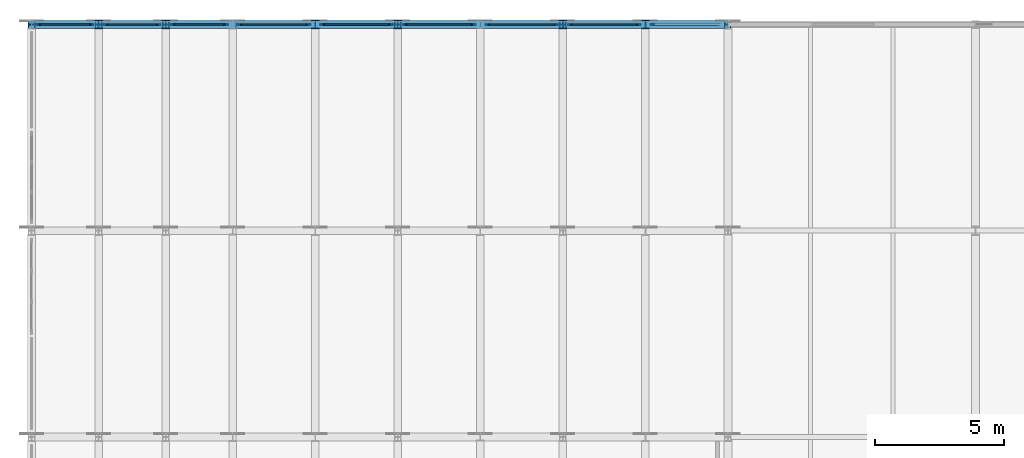
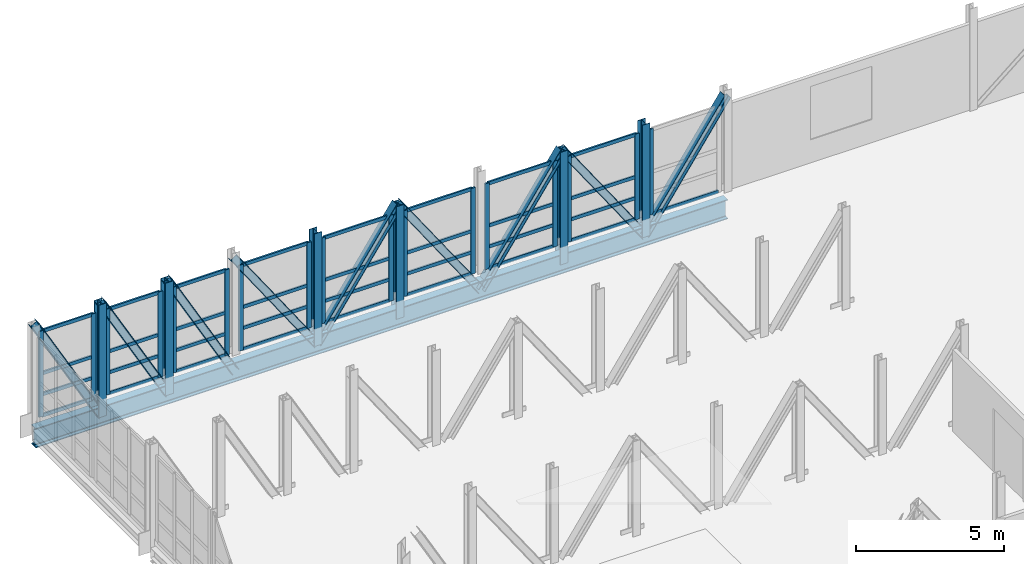
# One storey, part 42 of 73: 65 members, 1 beam, 9 elements without a shape of their own.
"""IFC4 building model written with IfcOpenShell, lengths in metres."""

from ifc_helpers import new_model, si_unit, direction, frame, origin, origin_2d, place, context, subcontext, project, spatial, rectangle, i_section, extrude, material, layer, layer_set, material_profile, profile_set, type_object, element, aggregate, save


model = new_model("IFC4")

# Units and contexts
model_context = context("Model", 3, precision=1e-05, world=origin(), true_north=direction((0.0, 1.0)))
body_context = subcontext(model_context, "Body", "Model", "MODEL_VIEW")
ifc_project = project(units=[si_unit("LENGTHUNIT", "METRE"), si_unit("AREAUNIT", "SQUARE_METRE"), si_unit("VOLUMEUNIT", "CUBIC_METRE"), si_unit("PLANEANGLEUNIT", "RADIAN"), si_unit("MASSUNIT", "GRAM", prefix="KILO")], contexts=[model_context])

# Site, building, storey
site_placement = place(None, origin())
site = spatial("IfcSite", under=ifc_project, at=site_placement, CompositionType="ELEMENT")
building_placement = place(site_placement, origin())
building = spatial("IfcBuilding", under=site, at=building_placement, Name="Alderhovde Museum", CompositionType="ELEMENT")
storey_placement = place(building_placement, frame((0.0, 0.0, 12.89990234375)))
storey = spatial("IfcBuildingStorey", under=building, at=storey_placement, Name="L03", CompositionType="ELEMENT", Elevation=12.89990234375)

# Beam
ifc_material_1 = material(Name="Steel S355J2", Category="steel")
ifc_material_profile_1 = material_profile(ifc_material_1, i_section(OverallWidth=0.300048828125, OverallDepth=0.800048828125, WebThickness=0.017578125, FlangeThickness=0.032958984375, FilletRadius=0.030029296875, at=origin_2d()), Name="HEB 800")
ifc_profile_set_1 = profile_set([ifc_material_profile_1], Name="Steel S355J2")
beam_type = type_object("IfcBeamType", Name="BM-HEB800", PredefinedType="BEAM", material=ifc_profile_set_1)
beam_placement = place(storey_placement, frame((1.800048828125, 112.0, -0.719970703125), z_axis=(1.0, 0.0, 0.0), x_axis=(0.0, 1.0, 0.0)))
element("IfcBeam", 1, at=beam_placement, inside=storey, type_object=beam_type, Name="Transfer Truss Y=112 BOT Continuous Chord", PredefinedType="BEAM", context=body_context, shape_type="SweptSolid", body=[
    extrude(i_section(OverallWidth=0.300048828125, OverallDepth=0.800048828125, WebThickness=0.017578125, FlangeThickness=0.032958984375, FilletRadius=0.030029296875, at=origin_2d()), origin(), (0.0, 0.0, 1.0), 27.0),
])

# Curtain wall, members
ifc_material_2 = material(Name="Triple-Glazed Bronze-Anodised Curtain Wall", Category="glass")
ifc_layer_1 = layer(ifc_material_2, 0.179931640625)
ifc_layer_set_1 = layer_set([ifc_layer_1], Name="Triple-Glazed Bronze-Anodised Curtain Wall")
curtain_wall_type_1 = type_object("IfcCurtainWallType", Name="CW-UNIT-212x354", PredefinedType="USERDEFINED", material=ifc_layer_set_1)
curtain_wall_1_placement = place(storey_placement, origin())
curtain_wall_1 = element("IfcCurtainWall", 2, at=curtain_wall_1_placement, inside=storey, type_object=curtain_wall_type_1, Name="L03 Unitised Curtain Wall 99", ObjectType="UNITISED CURTAIN WALL", PredefinedType="USERDEFINED")
ifc_material_3 = material(Name="Bronze-Anodised Aluminium EN AW-6063-T6", Category="aluminium")
ifc_material_profile_2 = material_profile(ifc_material_3, rectangle(XDim=0.06494140625, YDim=0.179931640625, at=origin_2d()), Name="MULLION 65x180")
ifc_profile_set_2 = profile_set([ifc_material_profile_2], Name="Bronze-Anodised Aluminium EN AW-6063-T6")
member_type_1 = type_object("IfcMemberType", Name="CWM-65x180", PredefinedType="MULLION", material=ifc_profile_set_2)
member_1_placement = place(storey_placement, frame((2.072509765625, 112.0, 0.0), z_axis=(0.0, 0.0, 1.0), x_axis=(0.0, 1.0, 0.0)))
member_1 = element("IfcMember", 3, at=member_1_placement, type_object=member_type_1, Name="CW25 mullion 1", PredefinedType="MULLION", context=body_context, shape_type="SweptSolid", body=[
    extrude(rectangle(XDim=0.06494140625, YDim=0.179931640625, at=origin_2d()), origin(), (0.0, 0.0, 1.0), 3.5400390625),
])
member_2_placement = place(storey_placement, frame((4.12744140625, 112.0, 0.0), z_axis=(0.0, 0.0, 1.0), x_axis=(0.0, 1.0, 0.0)))
member_2 = element("IfcMember", 4, at=member_2_placement, type_object=member_type_1, Name="CW25 mullion 2", PredefinedType="MULLION", context=body_context, shape_type="SweptSolid", body=[
    extrude(rectangle(XDim=0.06494140625, YDim=0.179931640625, at=origin_2d()), origin(), (0.0, 0.0, 1.0), 3.5400390625),
])

curtain_wall_2_placement = place(storey_placement, origin())
curtain_wall_2 = element("IfcCurtainWall", 5, at=curtain_wall_2_placement, inside=storey, type_object=curtain_wall_type_1, Name="L03 Unitised Curtain Wall 101", ObjectType="UNITISED CURTAIN WALL", PredefinedType="USERDEFINED")
member_3_placement = place(storey_placement, frame((4.672607421875, 112.0, 0.0), z_axis=(0.0, 0.0, 1.0), x_axis=(0.0, 1.0, 0.0)))
member_3 = element("IfcMember", 6, at=member_3_placement, type_object=member_type_1, Name="CW25 mullion 1", PredefinedType="MULLION", context=body_context, shape_type="SweptSolid", body=[
    extrude(rectangle(XDim=0.06494140625, YDim=0.179931640625, at=origin_2d()), origin(), (0.0, 0.0, 1.0), 3.5400390625),
])
member_4_placement = place(storey_placement, frame((6.7275390625, 112.0, 0.0), z_axis=(0.0, 0.0, 1.0), x_axis=(0.0, 1.0, 0.0)))
member_4 = element("IfcMember", 7, at=member_4_placement, type_object=member_type_1, Name="CW25 mullion 2", PredefinedType="MULLION", context=body_context, shape_type="SweptSolid", body=[
    extrude(rectangle(XDim=0.06494140625, YDim=0.179931640625, at=origin_2d()), origin(), (0.0, 0.0, 1.0), 3.5400390625),
])

curtain_wall_3_placement = place(storey_placement, origin())
curtain_wall_3 = element("IfcCurtainWall", 8, at=curtain_wall_3_placement, inside=storey, type_object=curtain_wall_type_1, Name="L03 Unitised Curtain Wall 103", ObjectType="UNITISED CURTAIN WALL", PredefinedType="USERDEFINED")
member_5_placement = place(storey_placement, frame((7.2724609375, 112.0, 0.0), z_axis=(0.0, 0.0, 1.0), x_axis=(0.0, 1.0, 0.0)))
member_5 = element("IfcMember", 9, at=member_5_placement, type_object=member_type_1, Name="CW25 mullion 1", PredefinedType="MULLION", context=body_context, shape_type="SweptSolid", body=[
    extrude(rectangle(XDim=0.06494140625, YDim=0.179931640625, at=origin_2d()), origin(), (0.0, 0.0, 1.0), 3.5400390625),
])
member_6_placement = place(storey_placement, frame((9.327392578125, 112.0, 0.0), z_axis=(0.0, 0.0, 1.0), x_axis=(0.0, 1.0, 0.0)))
member_6 = element("IfcMember", 10, at=member_6_placement, type_object=member_type_1, Name="CW25 mullion 2", PredefinedType="MULLION", context=body_context, shape_type="SweptSolid", body=[
    extrude(rectangle(XDim=0.06494140625, YDim=0.179931640625, at=origin_2d()), origin(), (0.0, 0.0, 1.0), 3.5400390625),
])

ifc_material_4 = material(Name="Triple-Glazed Bronze-Anodised Curtain Wall", Category="glass")
ifc_layer_2 = layer(ifc_material_4, 0.179931640625)
ifc_layer_set_2 = layer_set([ifc_layer_2], Name="Triple-Glazed Bronze-Anodised Curtain Wall")
curtain_wall_type_2 = type_object("IfcCurtainWallType", Name="CW-UNIT-272x354", PredefinedType="USERDEFINED", material=ifc_layer_set_2)
curtain_wall_4_placement = place(storey_placement, origin())
curtain_wall_4 = element("IfcCurtainWall", 11, at=curtain_wall_4_placement, inside=storey, type_object=curtain_wall_type_2, Name="L03 Unitised Curtain Wall 105", ObjectType="UNITISED CURTAIN WALL", PredefinedType="USERDEFINED")
member_7_placement = place(storey_placement, frame((9.87255859375, 112.0, 0.0), z_axis=(0.0, 0.0, 1.0), x_axis=(0.0, 1.0, 0.0)))
member_7 = element("IfcMember", 12, at=member_7_placement, type_object=member_type_1, Name="CW26 mullion 1", PredefinedType="MULLION", context=body_context, shape_type="SweptSolid", body=[
    extrude(rectangle(XDim=0.06494140625, YDim=0.179931640625, at=origin_2d()), origin(), (0.0, 0.0, 1.0), 3.5400390625),
])
member_8_placement = place(storey_placement, frame((12.527587890625, 112.0, 0.0), z_axis=(0.0, 0.0, 1.0), x_axis=(0.0, 1.0, 0.0)))
member_8 = element("IfcMember", 13, at=member_8_placement, type_object=member_type_1, Name="CW26 mullion 2", PredefinedType="MULLION", context=body_context, shape_type="SweptSolid", body=[
    extrude(rectangle(XDim=0.06494140625, YDim=0.179931640625, at=origin_2d()), origin(), (0.0, 0.0, 1.0), 3.5400390625),
])

curtain_wall_5_placement = place(storey_placement, origin())
curtain_wall_5 = element("IfcCurtainWall", 14, at=curtain_wall_5_placement, inside=storey, type_object=curtain_wall_type_2, Name="L03 Unitised Curtain Wall 106", ObjectType="UNITISED CURTAIN WALL", PredefinedType="USERDEFINED")
member_9_placement = place(storey_placement, frame((13.072509765625, 112.0, 0.0), z_axis=(0.0, 0.0, 1.0), x_axis=(0.0, 1.0, 0.0)))
member_9 = element("IfcMember", 15, at=member_9_placement, type_object=member_type_1, Name="CW26 mullion 1", PredefinedType="MULLION", context=body_context, shape_type="SweptSolid", body=[
    extrude(rectangle(XDim=0.06494140625, YDim=0.179931640625, at=origin_2d()), origin(), (0.0, 0.0, 1.0), 3.5400390625),
])
member_10_placement = place(storey_placement, frame((15.7275390625, 112.0, 0.0), z_axis=(0.0, 0.0, 1.0), x_axis=(0.0, 1.0, 0.0)))
member_10 = element("IfcMember", 16, at=member_10_placement, type_object=member_type_1, Name="CW26 mullion 2", PredefinedType="MULLION", context=body_context, shape_type="SweptSolid", body=[
    extrude(rectangle(XDim=0.06494140625, YDim=0.179931640625, at=origin_2d()), origin(), (0.0, 0.0, 1.0), 3.5400390625),
])

curtain_wall_6_placement = place(storey_placement, origin())
curtain_wall_6 = element("IfcCurtainWall", 17, at=curtain_wall_6_placement, inside=storey, type_object=curtain_wall_type_2, Name="L03 Unitised Curtain Wall 107", ObjectType="UNITISED CURTAIN WALL", PredefinedType="USERDEFINED")
member_11_placement = place(storey_placement, frame((16.2724609375, 112.0, 0.0), z_axis=(0.0, 0.0, 1.0), x_axis=(0.0, 1.0, 0.0)))
member_11 = element("IfcMember", 18, at=member_11_placement, type_object=member_type_1, Name="CW26 mullion 1", PredefinedType="MULLION", context=body_context, shape_type="SweptSolid", body=[
    extrude(rectangle(XDim=0.06494140625, YDim=0.179931640625, at=origin_2d()), origin(), (0.0, 0.0, 1.0), 3.5400390625),
])
member_12_placement = place(storey_placement, frame((18.927490234375, 112.0, 0.0), z_axis=(0.0, 0.0, 1.0), x_axis=(0.0, 1.0, 0.0)))
member_12 = element("IfcMember", 19, at=member_12_placement, type_object=member_type_1, Name="CW26 mullion 2", PredefinedType="MULLION", context=body_context, shape_type="SweptSolid", body=[
    extrude(rectangle(XDim=0.06494140625, YDim=0.179931640625, at=origin_2d()), origin(), (0.0, 0.0, 1.0), 3.5400390625),
])

curtain_wall_7_placement = place(storey_placement, origin())
curtain_wall_7 = element("IfcCurtainWall", 20, at=curtain_wall_7_placement, inside=storey, type_object=curtain_wall_type_2, Name="L03 Unitised Curtain Wall 108", ObjectType="UNITISED CURTAIN WALL", PredefinedType="USERDEFINED")
member_13_placement = place(storey_placement, frame((19.472412109375, 112.0, 0.0), z_axis=(0.0, 0.0, 1.0), x_axis=(0.0, 1.0, 0.0)))
member_13 = element("IfcMember", 21, at=member_13_placement, type_object=member_type_1, Name="CW26 mullion 1", PredefinedType="MULLION", context=body_context, shape_type="SweptSolid", body=[
    extrude(rectangle(XDim=0.06494140625, YDim=0.179931640625, at=origin_2d()), origin(), (0.0, 0.0, 1.0), 3.5400390625),
])
member_14_placement = place(storey_placement, frame((22.12744140625, 112.0, 0.0), z_axis=(0.0, 0.0, 1.0), x_axis=(0.0, 1.0, 0.0)))
member_14 = element("IfcMember", 22, at=member_14_placement, type_object=member_type_1, Name="CW26 mullion 2", PredefinedType="MULLION", context=body_context, shape_type="SweptSolid", body=[
    extrude(rectangle(XDim=0.06494140625, YDim=0.179931640625, at=origin_2d()), origin(), (0.0, 0.0, 1.0), 3.5400390625),
])

curtain_wall_8_placement = place(storey_placement, origin())
curtain_wall_8 = element("IfcCurtainWall", 23, at=curtain_wall_8_placement, inside=storey, type_object=curtain_wall_type_2, Name="L03 Unitised Curtain Wall 109", ObjectType="UNITISED CURTAIN WALL", PredefinedType="USERDEFINED")
member_15_placement = place(storey_placement, frame((22.672607421875, 112.0, 0.0), z_axis=(0.0, 0.0, 1.0), x_axis=(0.0, 1.0, 0.0)))
member_15 = element("IfcMember", 24, at=member_15_placement, type_object=member_type_1, Name="CW26 mullion 1", PredefinedType="MULLION", context=body_context, shape_type="SweptSolid", body=[
    extrude(rectangle(XDim=0.06494140625, YDim=0.179931640625, at=origin_2d()), origin(), (0.0, 0.0, 1.0), 3.5400390625),
])
member_16_placement = place(storey_placement, frame((25.327392578125, 112.0, 0.0), z_axis=(0.0, 0.0, 1.0), x_axis=(0.0, 1.0, 0.0)))
member_16 = element("IfcMember", 25, at=member_16_placement, type_object=member_type_1, Name="CW26 mullion 2", PredefinedType="MULLION", context=body_context, shape_type="SweptSolid", body=[
    extrude(rectangle(XDim=0.06494140625, YDim=0.179931640625, at=origin_2d()), origin(), (0.0, 0.0, 1.0), 3.5400390625),
])

# Curtain wall, member
curtain_wall_9_placement = place(storey_placement, origin())
curtain_wall_9 = element("IfcCurtainWall", 26, at=curtain_wall_9_placement, inside=storey, type_object=curtain_wall_type_2, Name="L03 Unitised Curtain Wall 110", ObjectType="UNITISED CURTAIN WALL", PredefinedType="USERDEFINED")
member_17_placement = place(storey_placement, frame((25.87255859375, 112.0, 0.0), z_axis=(0.0, 0.0, 1.0), x_axis=(0.0, 1.0, 0.0)))
member_17 = element("IfcMember", 27, at=member_17_placement, type_object=member_type_1, Name="CW26 mullion 1", PredefinedType="MULLION", context=body_context, shape_type="SweptSolid", body=[
    extrude(rectangle(XDim=0.06494140625, YDim=0.179931640625, at=origin_2d()), origin(), (0.0, 0.0, 1.0), 3.5400390625),
])

# Member
ifc_material_5 = material(Name="Bronze-Anodised Aluminium EN AW-6063-T6", Category="aluminium")
ifc_material_profile_3 = material_profile(ifc_material_5, rectangle(XDim=0.06494140625, YDim=0.139892578125, at=origin_2d()), Name="TRANSOM 65x140")
ifc_profile_set_3 = profile_set([ifc_material_profile_3], Name="Bronze-Anodised Aluminium EN AW-6063-T6")
member_type_2 = type_object("IfcMemberType", Name="CWT-65x140", PredefinedType="USERDEFINED", material=ifc_profile_set_3)
member_18_placement = place(storey_placement, frame((2.10498046875, 112.0, 0.03271484375), z_axis=(1.0, 0.0, 0.0), x_axis=(0.0, 1.0, 0.0)))
member_18 = element("IfcMember", 28, at=member_18_placement, type_object=member_type_2, Name="CW25 transom 1.1", ObjectType="TRANSOM", PredefinedType="USERDEFINED", context=body_context, shape_type="SweptSolid", body=[
    extrude(rectangle(XDim=0.06494140625, YDim=0.139892578125, at=origin_2d()), origin(), (0.0, 0.0, 1.0), 1.989990234375),
])

member_19_placement = place(storey_placement, frame((2.10498046875, 112.0, 0.900146484375), z_axis=(1.0, 0.0, 0.0), x_axis=(0.0, 1.0, 0.0)))
member_19 = element("IfcMember", 29, at=member_19_placement, type_object=member_type_2, Name="CW25 transom 1.2", ObjectType="TRANSOM", PredefinedType="USERDEFINED", context=body_context, shape_type="SweptSolid", body=[
    extrude(rectangle(XDim=0.06494140625, YDim=0.139892578125, at=origin_2d()), origin(), (0.0, 0.0, 1.0), 1.989990234375),
])

member_20_placement = place(storey_placement, frame((2.10498046875, 112.0, 1.77001953125), z_axis=(1.0, 0.0, 0.0), x_axis=(0.0, 1.0, 0.0)))
member_20 = element("IfcMember", 30, at=member_20_placement, type_object=member_type_2, Name="CW25 transom 1.3", ObjectType="TRANSOM", PredefinedType="USERDEFINED", context=body_context, shape_type="SweptSolid", body=[
    extrude(rectangle(XDim=0.06494140625, YDim=0.139892578125, at=origin_2d()), origin(), (0.0, 0.0, 1.0), 1.989990234375),
])

member_21_placement = place(storey_placement, frame((2.10498046875, 112.0, 3.507568359375), z_axis=(1.0, 0.0, 0.0), x_axis=(0.0, 1.0, 0.0)))
member_21 = element("IfcMember", 31, at=member_21_placement, type_object=member_type_2, Name="CW25 transom 1.4", ObjectType="TRANSOM", PredefinedType="USERDEFINED", context=body_context, shape_type="SweptSolid", body=[
    extrude(rectangle(XDim=0.06494140625, YDim=0.139892578125, at=origin_2d()), origin(), (0.0, 0.0, 1.0), 1.989990234375),
])

aggregate(curtain_wall_1, [member_1, member_2, member_18, member_19, member_20, member_21])

member_22_placement = place(storey_placement, frame((4.705078125, 112.0, 0.03271484375), z_axis=(1.0, 0.0, 0.0), x_axis=(0.0, 1.0, 0.0)))
member_22 = element("IfcMember", 32, at=member_22_placement, type_object=member_type_2, Name="CW25 transom 1.1", ObjectType="TRANSOM", PredefinedType="USERDEFINED", context=body_context, shape_type="SweptSolid", body=[
    extrude(rectangle(XDim=0.06494140625, YDim=0.139892578125, at=origin_2d()), origin(), (0.0, 0.0, 1.0), 1.989990234375),
])

member_23_placement = place(storey_placement, frame((4.705078125, 112.0, 0.900146484375), z_axis=(1.0, 0.0, 0.0), x_axis=(0.0, 1.0, 0.0)))
member_23 = element("IfcMember", 33, at=member_23_placement, type_object=member_type_2, Name="CW25 transom 1.2", ObjectType="TRANSOM", PredefinedType="USERDEFINED", context=body_context, shape_type="SweptSolid", body=[
    extrude(rectangle(XDim=0.06494140625, YDim=0.139892578125, at=origin_2d()), origin(), (0.0, 0.0, 1.0), 1.989990234375),
])

member_24_placement = place(storey_placement, frame((4.705078125, 112.0, 1.77001953125), z_axis=(1.0, 0.0, 0.0), x_axis=(0.0, 1.0, 0.0)))
member_24 = element("IfcMember", 34, at=member_24_placement, type_object=member_type_2, Name="CW25 transom 1.3", ObjectType="TRANSOM", PredefinedType="USERDEFINED", context=body_context, shape_type="SweptSolid", body=[
    extrude(rectangle(XDim=0.06494140625, YDim=0.139892578125, at=origin_2d()), origin(), (0.0, 0.0, 1.0), 1.989990234375),
])

member_25_placement = place(storey_placement, frame((4.705078125, 112.0, 3.507568359375), z_axis=(1.0, 0.0, 0.0), x_axis=(0.0, 1.0, 0.0)))
member_25 = element("IfcMember", 35, at=member_25_placement, type_object=member_type_2, Name="CW25 transom 1.4", ObjectType="TRANSOM", PredefinedType="USERDEFINED", context=body_context, shape_type="SweptSolid", body=[
    extrude(rectangle(XDim=0.06494140625, YDim=0.139892578125, at=origin_2d()), origin(), (0.0, 0.0, 1.0), 1.989990234375),
])

aggregate(curtain_wall_2, [member_3, member_4, member_22, member_23, member_24, member_25])

member_26_placement = place(storey_placement, frame((7.304931640625, 112.0, 0.03271484375), z_axis=(1.0, 0.0, 0.0), x_axis=(0.0, 1.0, 0.0)))
member_26 = element("IfcMember", 36, at=member_26_placement, type_object=member_type_2, Name="CW25 transom 1.1", ObjectType="TRANSOM", PredefinedType="USERDEFINED", context=body_context, shape_type="SweptSolid", body=[
    extrude(rectangle(XDim=0.06494140625, YDim=0.139892578125, at=origin_2d()), origin(), (0.0, 0.0, 1.0), 1.989990234375),
])

member_27_placement = place(storey_placement, frame((7.304931640625, 112.0, 0.900146484375), z_axis=(1.0, 0.0, 0.0), x_axis=(0.0, 1.0, 0.0)))
member_27 = element("IfcMember", 37, at=member_27_placement, type_object=member_type_2, Name="CW25 transom 1.2", ObjectType="TRANSOM", PredefinedType="USERDEFINED", context=body_context, shape_type="SweptSolid", body=[
    extrude(rectangle(XDim=0.06494140625, YDim=0.139892578125, at=origin_2d()), origin(), (0.0, 0.0, 1.0), 1.989990234375),
])

member_28_placement = place(storey_placement, frame((7.304931640625, 112.0, 1.77001953125), z_axis=(1.0, 0.0, 0.0), x_axis=(0.0, 1.0, 0.0)))
member_28 = element("IfcMember", 38, at=member_28_placement, type_object=member_type_2, Name="CW25 transom 1.3", ObjectType="TRANSOM", PredefinedType="USERDEFINED", context=body_context, shape_type="SweptSolid", body=[
    extrude(rectangle(XDim=0.06494140625, YDim=0.139892578125, at=origin_2d()), origin(), (0.0, 0.0, 1.0), 1.989990234375),
])

member_29_placement = place(storey_placement, frame((7.304931640625, 112.0, 3.507568359375), z_axis=(1.0, 0.0, 0.0), x_axis=(0.0, 1.0, 0.0)))
member_29 = element("IfcMember", 39, at=member_29_placement, type_object=member_type_2, Name="CW25 transom 1.4", ObjectType="TRANSOM", PredefinedType="USERDEFINED", context=body_context, shape_type="SweptSolid", body=[
    extrude(rectangle(XDim=0.06494140625, YDim=0.139892578125, at=origin_2d()), origin(), (0.0, 0.0, 1.0), 1.989990234375),
])

aggregate(curtain_wall_3, [member_5, member_6, member_26, member_27, member_28, member_29])

member_30_placement = place(storey_placement, frame((9.905029296875, 112.0, 0.03271484375), z_axis=(1.0, 0.0, 0.0), x_axis=(0.0, 1.0, 0.0)))
member_30 = element("IfcMember", 40, at=member_30_placement, type_object=member_type_2, Name="CW26 transom 1.1", ObjectType="TRANSOM", PredefinedType="USERDEFINED", context=body_context, shape_type="SweptSolid", body=[
    extrude(rectangle(XDim=0.06494140625, YDim=0.139892578125, at=origin_2d()), origin(), (0.0, 0.0, 1.0), 2.590087890625),
])

member_31_placement = place(storey_placement, frame((9.905029296875, 112.0, 0.900146484375), z_axis=(1.0, 0.0, 0.0), x_axis=(0.0, 1.0, 0.0)))
member_31 = element("IfcMember", 41, at=member_31_placement, type_object=member_type_2, Name="CW26 transom 1.2", ObjectType="TRANSOM", PredefinedType="USERDEFINED", context=body_context, shape_type="SweptSolid", body=[
    extrude(rectangle(XDim=0.06494140625, YDim=0.139892578125, at=origin_2d()), origin(), (0.0, 0.0, 1.0), 2.590087890625),
])

member_32_placement = place(storey_placement, frame((9.905029296875, 112.0, 1.77001953125), z_axis=(1.0, 0.0, 0.0), x_axis=(0.0, 1.0, 0.0)))
member_32 = element("IfcMember", 42, at=member_32_placement, type_object=member_type_2, Name="CW26 transom 1.3", ObjectType="TRANSOM", PredefinedType="USERDEFINED", context=body_context, shape_type="SweptSolid", body=[
    extrude(rectangle(XDim=0.06494140625, YDim=0.139892578125, at=origin_2d()), origin(), (0.0, 0.0, 1.0), 2.590087890625),
])

member_33_placement = place(storey_placement, frame((9.905029296875, 112.0, 3.507568359375), z_axis=(1.0, 0.0, 0.0), x_axis=(0.0, 1.0, 0.0)))
member_33 = element("IfcMember", 43, at=member_33_placement, type_object=member_type_2, Name="CW26 transom 1.4", ObjectType="TRANSOM", PredefinedType="USERDEFINED", context=body_context, shape_type="SweptSolid", body=[
    extrude(rectangle(XDim=0.06494140625, YDim=0.139892578125, at=origin_2d()), origin(), (0.0, 0.0, 1.0), 2.590087890625),
])

aggregate(curtain_wall_4, [member_7, member_8, member_30, member_31, member_32, member_33])

member_34_placement = place(storey_placement, frame((13.10498046875, 112.0, 0.03271484375), z_axis=(1.0, 0.0, 0.0), x_axis=(0.0, 1.0, 0.0)))
member_34 = element("IfcMember", 44, at=member_34_placement, type_object=member_type_2, Name="CW26 transom 1.1", ObjectType="TRANSOM", PredefinedType="USERDEFINED", context=body_context, shape_type="SweptSolid", body=[
    extrude(rectangle(XDim=0.06494140625, YDim=0.139892578125, at=origin_2d()), origin(), (0.0, 0.0, 1.0), 2.590087890625),
])

member_35_placement = place(storey_placement, frame((13.10498046875, 112.0, 0.900146484375), z_axis=(1.0, 0.0, 0.0), x_axis=(0.0, 1.0, 0.0)))
member_35 = element("IfcMember", 45, at=member_35_placement, type_object=member_type_2, Name="CW26 transom 1.2", ObjectType="TRANSOM", PredefinedType="USERDEFINED", context=body_context, shape_type="SweptSolid", body=[
    extrude(rectangle(XDim=0.06494140625, YDim=0.139892578125, at=origin_2d()), origin(), (0.0, 0.0, 1.0), 2.590087890625),
])

member_36_placement = place(storey_placement, frame((13.10498046875, 112.0, 1.77001953125), z_axis=(1.0, 0.0, 0.0), x_axis=(0.0, 1.0, 0.0)))
member_36 = element("IfcMember", 46, at=member_36_placement, type_object=member_type_2, Name="CW26 transom 1.3", ObjectType="TRANSOM", PredefinedType="USERDEFINED", context=body_context, shape_type="SweptSolid", body=[
    extrude(rectangle(XDim=0.06494140625, YDim=0.139892578125, at=origin_2d()), origin(), (0.0, 0.0, 1.0), 2.590087890625),
])

member_37_placement = place(storey_placement, frame((13.10498046875, 112.0, 3.507568359375), z_axis=(1.0, 0.0, 0.0), x_axis=(0.0, 1.0, 0.0)))
member_37 = element("IfcMember", 47, at=member_37_placement, type_object=member_type_2, Name="CW26 transom 1.4", ObjectType="TRANSOM", PredefinedType="USERDEFINED", context=body_context, shape_type="SweptSolid", body=[
    extrude(rectangle(XDim=0.06494140625, YDim=0.139892578125, at=origin_2d()), origin(), (0.0, 0.0, 1.0), 2.590087890625),
])

aggregate(curtain_wall_5, [member_9, member_10, member_34, member_35, member_36, member_37])

member_38_placement = place(storey_placement, frame((16.304931640625, 112.0, 0.03271484375), z_axis=(1.0, 0.0, 0.0), x_axis=(0.0, 1.0, 0.0)))
member_38 = element("IfcMember", 48, at=member_38_placement, type_object=member_type_2, Name="CW26 transom 1.1", ObjectType="TRANSOM", PredefinedType="USERDEFINED", context=body_context, shape_type="SweptSolid", body=[
    extrude(rectangle(XDim=0.06494140625, YDim=0.139892578125, at=origin_2d()), origin(), (0.0, 0.0, 1.0), 2.590087890625),
])

member_39_placement = place(storey_placement, frame((16.304931640625, 112.0, 0.900146484375), z_axis=(1.0, 0.0, 0.0), x_axis=(0.0, 1.0, 0.0)))
member_39 = element("IfcMember", 49, at=member_39_placement, type_object=member_type_2, Name="CW26 transom 1.2", ObjectType="TRANSOM", PredefinedType="USERDEFINED", context=body_context, shape_type="SweptSolid", body=[
    extrude(rectangle(XDim=0.06494140625, YDim=0.139892578125, at=origin_2d()), origin(), (0.0, 0.0, 1.0), 2.590087890625),
])

member_40_placement = place(storey_placement, frame((16.304931640625, 112.0, 1.77001953125), z_axis=(1.0, 0.0, 0.0), x_axis=(0.0, 1.0, 0.0)))
member_40 = element("IfcMember", 50, at=member_40_placement, type_object=member_type_2, Name="CW26 transom 1.3", ObjectType="TRANSOM", PredefinedType="USERDEFINED", context=body_context, shape_type="SweptSolid", body=[
    extrude(rectangle(XDim=0.06494140625, YDim=0.139892578125, at=origin_2d()), origin(), (0.0, 0.0, 1.0), 2.590087890625),
])

member_41_placement = place(storey_placement, frame((16.304931640625, 112.0, 3.507568359375), z_axis=(1.0, 0.0, 0.0), x_axis=(0.0, 1.0, 0.0)))
member_41 = element("IfcMember", 51, at=member_41_placement, type_object=member_type_2, Name="CW26 transom 1.4", ObjectType="TRANSOM", PredefinedType="USERDEFINED", context=body_context, shape_type="SweptSolid", body=[
    extrude(rectangle(XDim=0.06494140625, YDim=0.139892578125, at=origin_2d()), origin(), (0.0, 0.0, 1.0), 2.590087890625),
])

aggregate(curtain_wall_6, [member_11, member_12, member_38, member_39, member_40, member_41])

member_42_placement = place(storey_placement, frame((19.5048828125, 112.0, 0.03271484375), z_axis=(1.0, 0.0, 0.0), x_axis=(0.0, 1.0, 0.0)))
member_42 = element("IfcMember", 52, at=member_42_placement, type_object=member_type_2, Name="CW26 transom 1.1", ObjectType="TRANSOM", PredefinedType="USERDEFINED", context=body_context, shape_type="SweptSolid", body=[
    extrude(rectangle(XDim=0.06494140625, YDim=0.139892578125, at=origin_2d()), origin(), (0.0, 0.0, 1.0), 2.590087890625),
])

member_43_placement = place(storey_placement, frame((19.5048828125, 112.0, 0.900146484375), z_axis=(1.0, 0.0, 0.0), x_axis=(0.0, 1.0, 0.0)))
member_43 = element("IfcMember", 53, at=member_43_placement, type_object=member_type_2, Name="CW26 transom 1.2", ObjectType="TRANSOM", PredefinedType="USERDEFINED", context=body_context, shape_type="SweptSolid", body=[
    extrude(rectangle(XDim=0.06494140625, YDim=0.139892578125, at=origin_2d()), origin(), (0.0, 0.0, 1.0), 2.590087890625),
])

member_44_placement = place(storey_placement, frame((19.5048828125, 112.0, 1.77001953125), z_axis=(1.0, 0.0, 0.0), x_axis=(0.0, 1.0, 0.0)))
member_44 = element("IfcMember", 54, at=member_44_placement, type_object=member_type_2, Name="CW26 transom 1.3", ObjectType="TRANSOM", PredefinedType="USERDEFINED", context=body_context, shape_type="SweptSolid", body=[
    extrude(rectangle(XDim=0.06494140625, YDim=0.139892578125, at=origin_2d()), origin(), (0.0, 0.0, 1.0), 2.590087890625),
])

member_45_placement = place(storey_placement, frame((19.5048828125, 112.0, 3.507568359375), z_axis=(1.0, 0.0, 0.0), x_axis=(0.0, 1.0, 0.0)))
member_45 = element("IfcMember", 55, at=member_45_placement, type_object=member_type_2, Name="CW26 transom 1.4", ObjectType="TRANSOM", PredefinedType="USERDEFINED", context=body_context, shape_type="SweptSolid", body=[
    extrude(rectangle(XDim=0.06494140625, YDim=0.139892578125, at=origin_2d()), origin(), (0.0, 0.0, 1.0), 2.590087890625),
])

aggregate(curtain_wall_7, [member_13, member_14, member_42, member_43, member_44, member_45])

member_46_placement = place(storey_placement, frame((22.705078125, 112.0, 0.03271484375), z_axis=(1.0, 0.0, 0.0), x_axis=(0.0, 1.0, 0.0)))
member_46 = element("IfcMember", 56, at=member_46_placement, type_object=member_type_2, Name="CW26 transom 1.1", ObjectType="TRANSOM", PredefinedType="USERDEFINED", context=body_context, shape_type="SweptSolid", body=[
    extrude(rectangle(XDim=0.06494140625, YDim=0.139892578125, at=origin_2d()), origin(), (0.0, 0.0, 1.0), 2.58984375),
])

member_47_placement = place(storey_placement, frame((22.705078125, 112.0, 0.900146484375), z_axis=(1.0, 0.0, 0.0), x_axis=(0.0, 1.0, 0.0)))
member_47 = element("IfcMember", 57, at=member_47_placement, type_object=member_type_2, Name="CW26 transom 1.2", ObjectType="TRANSOM", PredefinedType="USERDEFINED", context=body_context, shape_type="SweptSolid", body=[
    extrude(rectangle(XDim=0.06494140625, YDim=0.139892578125, at=origin_2d()), origin(), (0.0, 0.0, 1.0), 2.58984375),
])

member_48_placement = place(storey_placement, frame((22.705078125, 112.0, 1.77001953125), z_axis=(1.0, 0.0, 0.0), x_axis=(0.0, 1.0, 0.0)))
member_48 = element("IfcMember", 58, at=member_48_placement, type_object=member_type_2, Name="CW26 transom 1.3", ObjectType="TRANSOM", PredefinedType="USERDEFINED", context=body_context, shape_type="SweptSolid", body=[
    extrude(rectangle(XDim=0.06494140625, YDim=0.139892578125, at=origin_2d()), origin(), (0.0, 0.0, 1.0), 2.58984375),
])

member_49_placement = place(storey_placement, frame((22.705078125, 112.0, 3.507568359375), z_axis=(1.0, 0.0, 0.0), x_axis=(0.0, 1.0, 0.0)))
member_49 = element("IfcMember", 59, at=member_49_placement, type_object=member_type_2, Name="CW26 transom 1.4", ObjectType="TRANSOM", PredefinedType="USERDEFINED", context=body_context, shape_type="SweptSolid", body=[
    extrude(rectangle(XDim=0.06494140625, YDim=0.139892578125, at=origin_2d()), origin(), (0.0, 0.0, 1.0), 2.58984375),
])

aggregate(curtain_wall_8, [member_15, member_16, member_46, member_47, member_48, member_49])

member_50_placement = place(storey_placement, frame((25.905029296875, 112.0, 0.03271484375), z_axis=(1.0, 0.0, 0.0), x_axis=(0.0, 1.0, 0.0)))
member_50 = element("IfcMember", 60, at=member_50_placement, type_object=member_type_2, Name="CW26 transom 1.1", ObjectType="TRANSOM", PredefinedType="USERDEFINED", context=body_context, shape_type="SweptSolid", body=[
    extrude(rectangle(XDim=0.06494140625, YDim=0.139892578125, at=origin_2d()), origin(), (0.0, 0.0, 1.0), 2.590087890625),
])

aggregate(curtain_wall_9, [member_17, member_50])

# Members
ifc_material_6 = material(Name="Steel S355J2", Category="steel")
ifc_material_profile_4 = material_profile(ifc_material_6, i_section(OverallWidth=0.300048828125, OverallDepth=0.300048828125, WebThickness=0.010986328125, FlangeThickness=0.01904296875, FilletRadius=0.027099609375, at=origin_2d()), Name="HEB 300")
ifc_profile_set_4 = profile_set([ifc_material_profile_4], Name="Steel S355J2")
member_type_3 = type_object("IfcMemberType", Name="TR-DG-HEB300", PredefinedType="STRUT", material=ifc_profile_set_4)
for number, where, z_axis, x_axis, name in (
    (61, (1.800048828125, 112.0, 3.920166015625), (0.488800434728, 0.0, -0.872395629866), (0.0, 1.0, 0.0), "Transfer Truss Y=112 T1 Diagonal 1"),
    (62, (4.39990234375, 112.0, 3.920166015625), (0.488835367665, 0.0, -0.872376056136), (0.0, 1.0, 0.0), "Transfer Truss Y=112 T1 Diagonal 2"),
    (63, (7.0, 112.0, 3.920166015625), (0.488835367665, 0.0, -0.872376056136), (0.0, 1.0, 0.0), "Transfer Truss Y=112 T1 Diagonal 3"),
):
    element("IfcMember", number, at=place(storey_placement, frame(where, z_axis=z_axis, x_axis=x_axis)), inside=storey, type_object=member_type_3, Name=name, PredefinedType="STRUT", context=body_context, shape_type="SweptSolid", body=[
        extrude(i_section(OverallWidth=0.300048828125, OverallDepth=0.300048828125, WebThickness=0.010986328125, FlangeThickness=0.01904296875, FilletRadius=0.027099609375, at=origin_2d()), origin(), (0.0, 0.0, 1.0), 5.31884765625),
    ])
for number, where, z_axis, x_axis, name in (
    (64, (9.60009765625, 112.0, 3.920166015625), (0.567715748774, 0.0, -0.823224652567), (0.0, 1.0, 0.0), "Transfer Truss Y=112 T1 Diagonal 4"),
    (65, (12.800048828125, 112.0, -0.719970703125), (0.567715748774, 0.0, 0.823224652567), (0.0, 1.0, 0.0), "Transfer Truss Y=112 T1 Diagonal 5"),
    (66, (16.0, 112.0, 3.920166015625), (0.567715748774, 0.0, -0.823224652567), (0.0, 1.0, 0.0), "Transfer Truss Y=112 T1 Diagonal 6"),
    (67, (19.199951171875, 112.0, -0.719970703125), (0.567715748774, 0.0, 0.823224652567), (0.0, 1.0, 0.0), "Transfer Truss Y=112 T1 Diagonal 7"),
):
    element("IfcMember", number, at=place(storey_placement, frame(where, z_axis=z_axis, x_axis=x_axis)), inside=storey, type_object=member_type_3, Name=name, PredefinedType="STRUT", context=body_context, shape_type="SweptSolid", body=[
        extrude(i_section(OverallWidth=0.300048828125, OverallDepth=0.300048828125, WebThickness=0.010986328125, FlangeThickness=0.01904296875, FilletRadius=0.027099609375, at=origin_2d()), origin(), (0.0, 0.0, 1.0), 5.636474609375),
    ])
member_51_placement = place(storey_placement, frame((22.39990234375, 112.0, 3.920166015625), z_axis=(0.567745101494, 0.0, -0.823204409445), x_axis=(0.0, 1.0, 0.0)))
element("IfcMember", 68, at=member_51_placement, inside=storey, type_object=member_type_3, Name="Transfer Truss Y=112 T1 Diagonal 8", PredefinedType="STRUT", context=body_context, shape_type="SweptSolid", body=[
    extrude(i_section(OverallWidth=0.300048828125, OverallDepth=0.300048828125, WebThickness=0.010986328125, FlangeThickness=0.01904296875, FilletRadius=0.027099609375, at=origin_2d()), origin(), (0.0, 0.0, 1.0), 5.63671875),
])
member_52_placement = place(storey_placement, frame((25.60009765625, 112.0, -0.719970703125), z_axis=(0.567715748774, 0.0, 0.823224652567), x_axis=(0.0, 1.0, 0.0)))
element("IfcMember", 69, at=member_52_placement, inside=storey, type_object=member_type_3, Name="Transfer Truss Y=112 T1 Diagonal 9", PredefinedType="STRUT", context=body_context, shape_type="SweptSolid", body=[
    extrude(i_section(OverallWidth=0.300048828125, OverallDepth=0.300048828125, WebThickness=0.010986328125, FlangeThickness=0.01904296875, FilletRadius=0.027099609375, at=origin_2d()), origin(), (0.0, 0.0, 1.0), 5.636474609375),
])
ifc_material_7 = material(Name="Steel S355J2", Category="steel")
ifc_material_profile_5 = material_profile(ifc_material_7, i_section(OverallWidth=0.300048828125, OverallDepth=0.340087890625, WebThickness=0.011962890625, FlangeThickness=0.021484375, FilletRadius=0.027099609375, at=origin_2d()), Name="HEB 340")
ifc_profile_set_5 = profile_set([ifc_material_profile_5], Name="Steel S355J2")
member_type_4 = type_object("IfcMemberType", Name="TR-PS-HEB340", PredefinedType="POST", material=ifc_profile_set_5)
for number, where, z_axis, x_axis, name in (
    (70, (4.39990234375, 112.0, -0.719970703125), (0.0, 0.0, 1.0), (1.0, 0.0, 0.0), "Transfer Truss Y=112 T1 Post 2"),
    (71, (7.0, 112.0, -0.719970703125), (0.0, 0.0, 1.0), (1.0, 0.0, 0.0), "Transfer Truss Y=112 T1 Post 3"),
    (72, (12.800048828125, 112.0, -0.719970703125), (0.0, 0.0, 1.0), (1.0, 0.0, 0.0), "Transfer Truss Y=112 T1 Post 5"),
    (73, (16.0, 112.0, -0.719970703125), (0.0, 0.0, 1.0), (1.0, 0.0, 0.0), "Transfer Truss Y=112 T1 Post 6"),
    (74, (22.39990234375, 112.0, -0.719970703125), (0.0, 0.0, 1.0), (1.0, 0.0, 0.0), "Transfer Truss Y=112 T1 Post 8"),
    (75, (25.60009765625, 112.0, -0.719970703125), (0.0, 0.0, 1.0), (1.0, 0.0, 0.0), "Transfer Truss Y=112 T1 Post 9"),
):
    element("IfcMember", number, at=place(storey_placement, frame(where, z_axis=z_axis, x_axis=x_axis)), inside=storey, type_object=member_type_4, Name=name, PredefinedType="POST", context=body_context, shape_type="SweptSolid", body=[
        extrude(i_section(OverallWidth=0.300048828125, OverallDepth=0.340087890625, WebThickness=0.011962890625, FlangeThickness=0.021484375, FilletRadius=0.027099609375, at=origin_2d()), origin(), (0.0, 0.0, 1.0), 4.64013671875),
    ])

save(model, "model.ifc")
